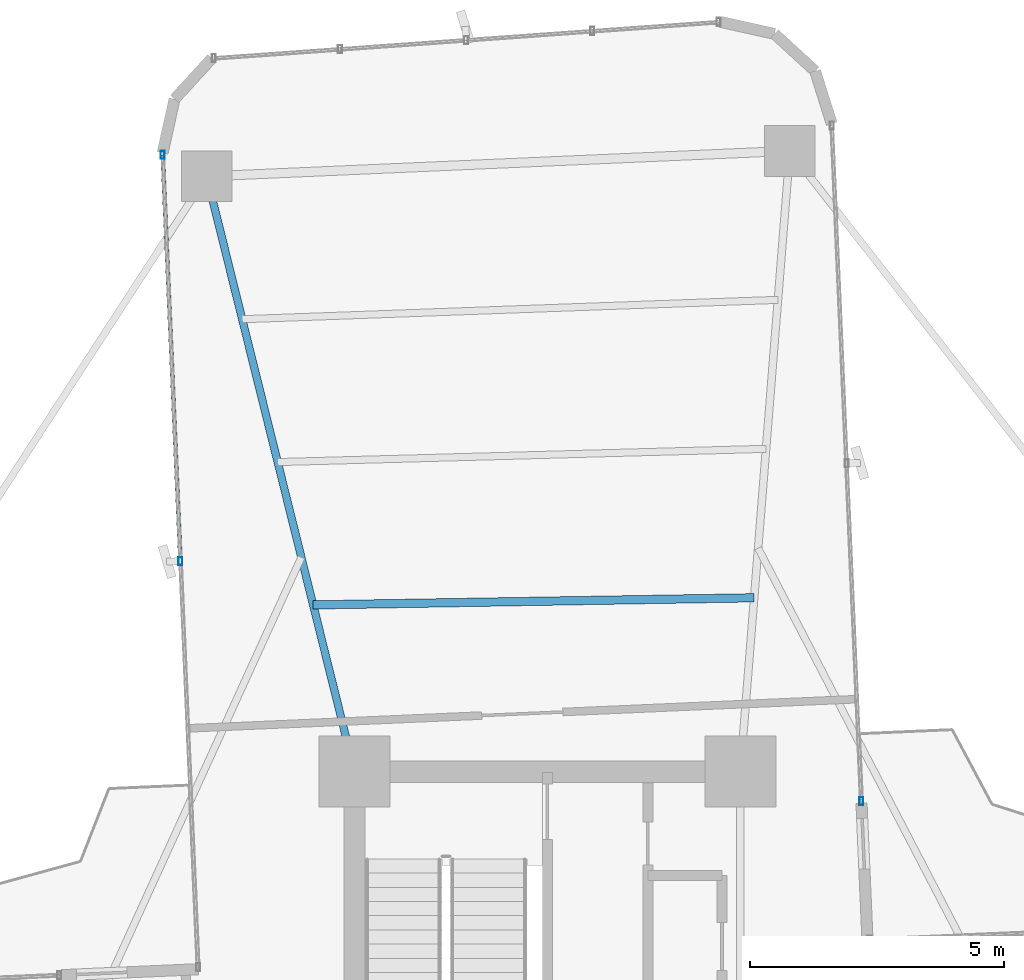
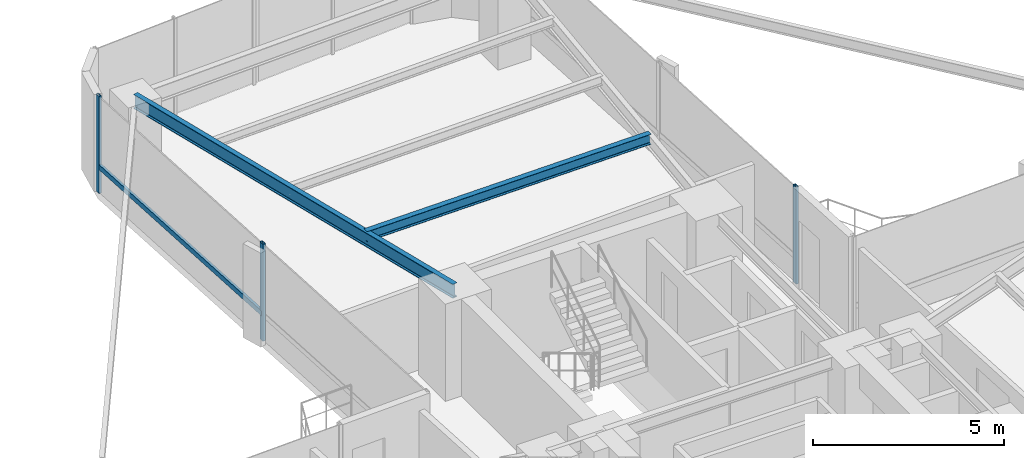
# One storey, part 17 of 26: 4 members, 2 beams, 2 elements without a shape of their own.
"""IFC4 building model written with IfcOpenShell, lengths in metres."""

from ifc_helpers import new_model, si_unit, direction, frame, origin, origin_2d, place, context, subcontext, project, spatial, hollow_rectangle, i_section, extrude, source, transform, mapped, material, material_profile, profile_set, type_object, element, aggregate, save


model = new_model("IFC4")

# Units and contexts
model_context = context("Model", 3, precision=1e-05, world=origin(), true_north=direction((0.0, 1.0)))
body_context = subcontext(model_context, "Body", "Model", "MODEL_VIEW")
ifc_project = project(units=[si_unit("LENGTHUNIT", "METRE"), si_unit("AREAUNIT", "SQUARE_METRE"), si_unit("VOLUMEUNIT", "CUBIC_METRE"), si_unit("PLANEANGLEUNIT", "RADIAN"), si_unit("MASSUNIT", "GRAM", prefix="KILO")], contexts=[model_context])

# Site, building, storey
site_placement = place(None, origin())
site = spatial("IfcSite", under=ifc_project, at=site_placement, CompositionType="ELEMENT")
building_placement = place(site_placement, origin())
building = spatial("IfcBuilding", under=site, at=building_placement, Name="Sahyath Konkavel Grand Hotel", CompositionType="ELEMENT")
storey_placement = place(building_placement, frame((0.0, 0.0, 96.89990234375)))
storey = spatial("IfcBuildingStorey", under=building, at=storey_placement, Name="L26", CompositionType="ELEMENT", Elevation=96.89990234375)

# Beams
ifc_material_1 = material(Name="Steel E350", Category="steel")
ifc_material_profile_1 = material_profile(ifc_material_1, i_section(OverallWidth=0.14990234375, OverallDepth=0.449951171875, WebThickness=0.009521484375, FlangeThickness=0.017333984375, FilletRadius=0.014892578125, at=origin_2d()), Name="ISMB 450")
ifc_profile_set_1 = profile_set([ifc_material_profile_1], Name="Steel E350")
beam_type_1 = type_object("IfcBeamType", Name="BM-ISMB450", PredefinedType="BEAM", material=ifc_profile_set_1)
shared_shape_1 = source(origin(), body_context, "Body", "SweptSolid", [
    extrude(i_section(OverallWidth=0.14990234375, OverallDepth=0.449951171875, WebThickness=0.009521484375, FlangeThickness=0.017333984375, FilletRadius=0.014892578125, at=origin_2d()), origin(), (0.0, 0.0, 1.0), 12.084228515625),
])
beam_1_placement = place(storey_placement, frame((-3.800048828125, 10.199951171875, 2.885009765625), z_axis=(-0.241042688481, 0.970514514229, 0.0), x_axis=(-0.970514514229, -0.241042688481, 0.0)))
element("IfcBeam", 1, at=beam_1_placement, inside=storey, type_object=beam_type_1, Name="L26 Cruciform Radial Girder NB", PredefinedType="BEAM", context=body_context, shape_type="MappedRepresentation", body=[
    mapped(shared_shape_1, transform((0.0, 0.0, 0.0), scale=1.0)),
])
ifc_material_profile_2 = material_profile(ifc_material_1, i_section(OverallWidth=0.1650390625, OverallDepth=0.324951171875, WebThickness=0.007080078125, FlangeThickness=0.009765625, FilletRadius=0.014892578125, at=origin_2d()), Name="ISLB 325")
ifc_profile_set_2 = profile_set([ifc_material_profile_2], Name="Steel E350")
beam_type_2 = type_object("IfcBeamType", Name="BM-ISLB325", PredefinedType="BEAM", material=ifc_profile_set_2)
shared_shape_2 = source(origin(), body_context, "Body", "SweptSolid", [
    extrude(i_section(OverallWidth=0.1650390625, OverallDepth=0.324951171875, WebThickness=0.007080078125, FlangeThickness=0.009765625, FilletRadius=0.014892578125, at=origin_2d()), origin(), (0.0, 0.0, 1.0), 8.68994140625),
])
beam_2_placement = place(storey_placement, frame((4.0732421875, 13.624267578125, 2.947509765625), z_axis=(-0.999869506431, -0.016154569283, 0.0), x_axis=(0.016154569283, -0.999869506431, 0.0)))
element("IfcBeam", 2, at=beam_2_placement, inside=storey, type_object=beam_type_2, Name="L26 Secondary Floor Beam N-1", PredefinedType="BEAM", context=body_context, shape_type="MappedRepresentation", body=[
    mapped(shared_shape_2, transform((0.0, 0.0, 0.0), scale=1.0)),
])

# Curtain wall, member
ifc_material_2 = material(Name="Anodised Bronze Aluminium & Low-E Glazing", Category="aluminium")
curtain_wall_type = type_object("IfcCurtainWallType", Name="CW-ZONE2", PredefinedType="NOTDEFINED", material=ifc_material_2)
curtain_wall_1_placement = place(storey_placement, origin())
curtain_wall_1 = element("IfcCurtainWall", 3, at=curtain_wall_1_placement, inside=storey, type_object=curtain_wall_type, Name="L26 Unitised Curtain Wall F8", PredefinedType="NOTDEFINED")
ifc_material_3 = material(Name="Anodised Bronze Aluminium", Category="aluminium")
ifc_material_profile_3 = material_profile(ifc_material_3, hollow_rectangle(XDim=0.080078125, YDim=0.159912109375, WallThickness=0.006103515625, at=origin_2d()), Name="RHS 160x80x6")
ifc_profile_set_3 = profile_set([ifc_material_profile_3], Name="Anodised Bronze Aluminium")
member_type_1 = type_object("IfcMemberType", Name="CW-MUL-160", PredefinedType="MULLION", material=ifc_profile_set_3)
shared_shape_3 = source(origin(), body_context, "Body", "SweptSolid", [
    extrude(hollow_rectangle(XDim=0.080078125, YDim=0.159912109375, WallThickness=0.006103515625, at=origin_2d()), origin(), (0.0, 0.0, 1.0), 3.110107421875),
])
member_1_placement = place(storey_placement, frame((6.186279296875, 9.618896484375, 0.0), z_axis=(0.0, 0.0, 1.0), x_axis=(1.0, 0.0, 0.0)))
member_1 = element("IfcMember", 4, at=member_1_placement, type_object=member_type_1, Name="L26 Curtain Wall Mullion F8-0", PredefinedType="MULLION", context=body_context, shape_type="MappedRepresentation", body=[
    mapped(shared_shape_3, transform((0.0, 0.0, 0.0), scale=1.0)),
])
aggregate(curtain_wall_1, [member_1])

# Curtain wall, members
curtain_wall_2_placement = place(storey_placement, origin())
curtain_wall_2 = element("IfcCurtainWall", 5, at=curtain_wall_2_placement, inside=storey, type_object=curtain_wall_type, Name="L26 Unitised Curtain Wall F15", PredefinedType="NOTDEFINED")
member_2_placement = place(storey_placement, frame((-7.582275390625, 22.3505859375, 0.0), z_axis=(0.0, 0.0, 1.0), x_axis=(1.0, 0.0, 0.0)))
member_2 = element("IfcMember", 6, at=member_2_placement, type_object=member_type_1, Name="L26 Curtain Wall Mullion F15-0", PredefinedType="MULLION", context=body_context, shape_type="MappedRepresentation", body=[
    mapped(shared_shape_3, transform((0.0, 0.0, 0.0), scale=1.0)),
])
member_3_placement = place(storey_placement, frame((-7.232666015625, 14.34814453125, 0.0), z_axis=(0.0, 0.0, 1.0), x_axis=(1.0, 0.0, 0.0)))
member_3 = element("IfcMember", 7, at=member_3_placement, type_object=member_type_1, Name="L26 Curtain Wall Mullion F15-1", PredefinedType="MULLION", context=body_context, shape_type="MappedRepresentation", body=[
    mapped(shared_shape_3, transform((0.0, 0.0, 0.0), scale=1.0)),
])
ifc_material_profile_4 = material_profile(ifc_material_3, hollow_rectangle(XDim=0.080078125, YDim=0.159912109375, WallThickness=0.006103515625, at=origin_2d()), Name="RHS 160x80x6")
ifc_profile_set_4 = profile_set([ifc_material_profile_4], Name="Anodised Bronze Aluminium")
member_type_2 = type_object("IfcMemberType", Name="CW-TRN-160", PredefinedType="USERDEFINED", material=ifc_profile_set_4)
shared_shape_4 = source(origin(), body_context, "Body", "SweptSolid", [
    extrude(hollow_rectangle(XDim=0.080078125, YDim=0.159912109375, WallThickness=0.006103515625, at=origin_2d()), origin(), (0.0, 0.0, 1.0), 8.010009765625),
])
member_4_placement = place(storey_placement, frame((-7.582275390625, 22.3505859375, 0.85009765625), z_axis=(0.043646207089, -0.999047050247, 0.0), x_axis=(0.999047050247, 0.043646207089, 0.0)))
member_4 = element("IfcMember", 8, at=member_4_placement, type_object=member_type_2, Name="L26 Curtain Wall Transom F15-0-spandrel", ObjectType="TRANSOM", PredefinedType="USERDEFINED", context=body_context, shape_type="MappedRepresentation", body=[
    mapped(shared_shape_4, transform((0.0, 0.0, 0.0), scale=1.0)),
])
aggregate(curtain_wall_2, [member_2, member_3, member_4])

save(model, "model.ifc")
